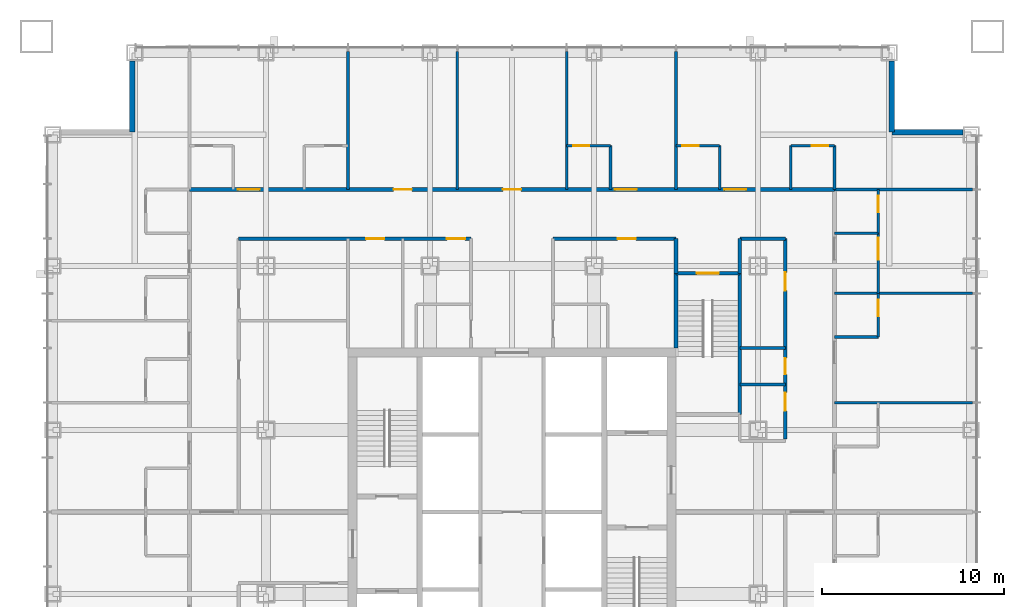
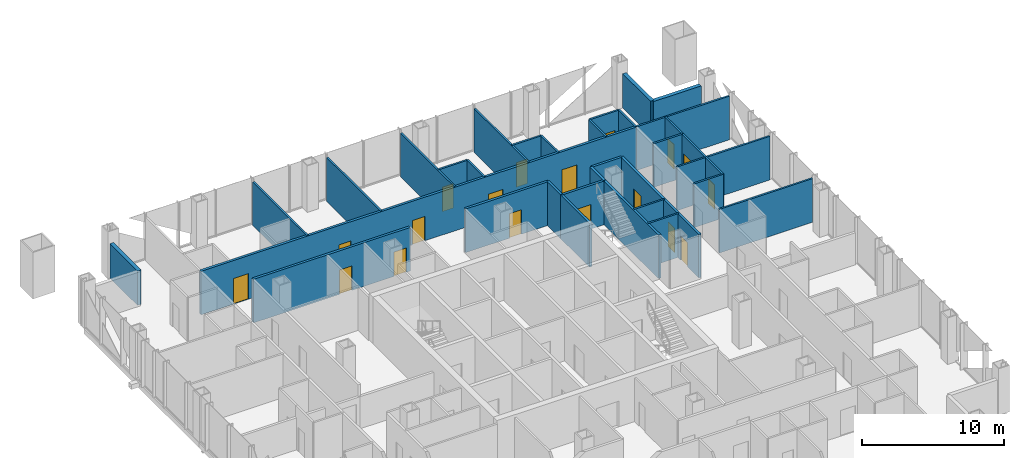
# One storey, part 11 of 13: 34 walls, 18 doors, 18 openings.
"""IFC4 building model written with IfcOpenShell, lengths in metres."""

from ifc_helpers import new_model, si_unit, direction, frame, frame_2d, origin, place, context, subcontext, project, spatial, rectangle, extrude, material, layer, layer_set, type_object, element, fill, save


model = new_model("IFC4")

# Units and contexts
model_context = context("Model", 3, precision=1e-05, world=origin(), true_north=direction((0.0, 1.0)))
body_context = subcontext(model_context, "Body", "Model", "MODEL_VIEW")
ifc_project = project(units=[si_unit("LENGTHUNIT", "METRE"), si_unit("AREAUNIT", "SQUARE_METRE"), si_unit("VOLUMEUNIT", "CUBIC_METRE"), si_unit("PLANEANGLEUNIT", "RADIAN"), si_unit("MASSUNIT", "GRAM", prefix="KILO")], contexts=[model_context])

# Site, building, storey
site_placement = place(None, origin())
site = spatial("IfcSite", under=ifc_project, at=site_placement, CompositionType="ELEMENT")
building_placement = place(site_placement, origin())
building = spatial("IfcBuilding", under=site, at=building_placement, Name="Malebo Sky Hospital", CompositionType="ELEMENT")
storey_placement = place(building_placement, frame((0.0, 0.0, 87.0)))
storey = spatial("IfcBuildingStorey", under=building, at=storey_placement, Name="L20", CompositionType="ELEMENT", Elevation=87.0)

# Wall, openings, doors
ifc_material_1 = material(Name="Gypsum board on steel studs", Category="steel")
ifc_layer_1 = layer(ifc_material_1, 0.199951171875)
ifc_layer_set_1 = layer_set([ifc_layer_1], Name="CORRIDOR WALL 200")
wall_type_1 = type_object("IfcWallType", Name="CORRIDOR WALL 200", PredefinedType="PARTITIONING", material=ifc_layer_set_1)
wall_1_placement = place(storey_placement, frame((42.300048828125, 79.699951171875, 0.0), z_axis=(0.0, 0.0, 1.0), x_axis=(1.0, 0.0, 0.0)))
wall_1 = element("IfcWall", 1, at=wall_1_placement, inside=storey, type_object=wall_type_1, Name="Corridor Wall 200 NCO", PredefinedType="PARTITIONING", context=body_context, shape_type="SweptSolid", body=[
    extrude(rectangle(XDim=35.39990234375, YDim=0.199951171875, at=frame_2d((17.699951171875, 0.0))), origin(), (0.0, 0.0, 1.0), 3.75),
])
opening_1_placement = place(wall_1_placement, frame((2.64990234375, 0.0, 0.0)))
opening_1 = element("IfcOpeningElement", 2, at=opening_1_placement, cuts=wall_1, Name="Opening D01", PredefinedType="OPENING", context=body_context, shape_type="SweptSolid", body=[
    extrude(rectangle(XDim=1.199951171875, YDim=2.199951171875, at=frame_2d((0.60009765625, 1.10009765625))), frame((0.0, 0.10986328125, 0.0), z_axis=(0.0, -1.0, 0.0), x_axis=(1.0, 0.0, 0.0)), (0.0, 0.0, 1.0), 0.219970703125),
])
opening_2_placement = place(wall_1_placement, frame((11.199951171875, 0.0, 0.0)))
opening_2 = element("IfcOpeningElement", 3, at=opening_2_placement, cuts=wall_1, Name="Opening D03", PredefinedType="OPENING", context=body_context, shape_type="SweptSolid", body=[
    extrude(rectangle(XDim=1.0, YDim=2.10009765625, at=frame_2d((0.5, 1.050048828125))), frame((0.0, 0.10986328125, 0.0), z_axis=(0.0, -1.0, 0.0), x_axis=(1.0, 0.0, 0.0)), (0.0, 0.0, 1.0), 0.219970703125),
])
opening_3_placement = place(wall_1_placement, frame((17.199951171875, 0.0, 0.0)))
opening_3 = element("IfcOpeningElement", 4, at=opening_3_placement, cuts=wall_1, Name="Opening D03", PredefinedType="OPENING", context=body_context, shape_type="SweptSolid", body=[
    extrude(rectangle(XDim=1.0, YDim=2.10009765625, at=frame_2d((0.5, 1.050048828125))), frame((0.0, 0.10986328125, 0.0), z_axis=(0.0, -1.0, 0.0), x_axis=(1.0, 0.0, 0.0)), (0.0, 0.0, 1.0), 0.219970703125),
])
opening_4_placement = place(wall_1_placement, frame((23.35009765625, 0.0, 0.0)))
opening_4 = element("IfcOpeningElement", 5, at=opening_4_placement, cuts=wall_1, Name="Opening D01", PredefinedType="OPENING", context=body_context, shape_type="SweptSolid", body=[
    extrude(rectangle(XDim=1.199951171875, YDim=2.199951171875, at=frame_2d((0.60009765625, 1.10009765625))), frame((0.0, 0.10986328125, 0.0), z_axis=(0.0, -1.0, 0.0), x_axis=(1.0, 0.0, 0.0)), (0.0, 0.0, 1.0), 0.219970703125),
])
opening_5_placement = place(wall_1_placement, frame((29.35009765625, 0.0, 0.0)))
opening_5 = element("IfcOpeningElement", 6, at=opening_5_placement, cuts=wall_1, Name="Opening D01", PredefinedType="OPENING", context=body_context, shape_type="SweptSolid", body=[
    extrude(rectangle(XDim=1.199951171875, YDim=2.199951171875, at=frame_2d((0.60009765625, 1.10009765625))), frame((0.0, 0.10986328125, 0.0), z_axis=(0.0, -1.0, 0.0), x_axis=(1.0, 0.0, 0.0)), (0.0, 0.0, 1.0), 0.219970703125),
])
ifc_material_2 = material(Name="Hardwood-faced door leaf in steel frame", Category="steel")
door_type_1 = type_object("IfcDoorType", Name="BED DOOR 1200", OperationType="SINGLE_SWING_LEFT", PredefinedType="DOOR", material=ifc_material_2)
door_1_placement = place(opening_1_placement, origin())
door_1 = element("IfcDoor", 7, at=door_1_placement, inside=storey, type_object=door_type_1, Name="Four-bed bay door", OperationType="SINGLE_SWING_LEFT", OverallHeight=2.199951171875, OverallWidth=1.199951171875, PredefinedType="DOOR", context=body_context, shape_type="SweptSolid", body=[
    extrude(rectangle(XDim=1.199951171875, YDim=2.199951171875, at=frame_2d((0.60009765625, 1.10009765625))), frame((0.0, 0.02490234375, 0.0), z_axis=(0.0, -1.0, 0.0), x_axis=(1.0, 0.0, 0.0)), (0.0, 0.0, 1.0), 0.050048828125),
])
fill(opening_1, door_1)
door_2_placement = place(opening_4_placement, origin())
door_2 = element("IfcDoor", 8, at=door_2_placement, inside=storey, type_object=door_type_1, Name="Two-bed room door", OperationType="SINGLE_SWING_LEFT", OverallHeight=2.199951171875, OverallWidth=1.199951171875, PredefinedType="DOOR", context=body_context, shape_type="SweptSolid", body=[
    extrude(rectangle(XDim=1.199951171875, YDim=2.199951171875, at=frame_2d((0.60009765625, 1.10009765625))), frame((0.0, 0.02490234375, 0.0), z_axis=(0.0, -1.0, 0.0), x_axis=(1.0, 0.0, 0.0)), (0.0, 0.0, 1.0), 0.050048828125),
])
fill(opening_4, door_2)
door_3_placement = place(opening_5_placement, origin())
door_3 = element("IfcDoor", 9, at=door_3_placement, inside=storey, type_object=door_type_1, Name="Four-bed bay door", OperationType="SINGLE_SWING_LEFT", OverallHeight=2.199951171875, OverallWidth=1.199951171875, PredefinedType="DOOR", context=body_context, shape_type="SweptSolid", body=[
    extrude(rectangle(XDim=1.199951171875, YDim=2.199951171875, at=frame_2d((0.60009765625, 1.10009765625))), frame((0.0, 0.02490234375, 0.0), z_axis=(0.0, -1.0, 0.0), x_axis=(1.0, 0.0, 0.0)), (0.0, 0.0, 1.0), 0.050048828125),
])
fill(opening_5, door_3)
door_type_2 = type_object("IfcDoorType", Name="ROOM DOOR 1000", OperationType="SINGLE_SWING_LEFT", PredefinedType="DOOR", material=ifc_material_2)
door_4_placement = place(opening_2_placement, origin())
door_4 = element("IfcDoor", 10, at=door_4_placement, inside=storey, type_object=door_type_2, Name="Family room door", OperationType="SINGLE_SWING_LEFT", OverallHeight=2.10009765625, OverallWidth=1.0, PredefinedType="DOOR", context=body_context, shape_type="SweptSolid", body=[
    extrude(rectangle(XDim=1.0, YDim=2.10009765625, at=frame_2d((0.5, 1.050048828125))), frame((0.0, 0.02490234375, 0.0), z_axis=(0.0, -1.0, 0.0), x_axis=(1.0, 0.0, 0.0)), (0.0, 0.0, 1.0), 0.050048828125),
])
fill(opening_2, door_4)
door_5_placement = place(opening_3_placement, origin())
door_5 = element("IfcDoor", 11, at=door_5_placement, inside=storey, type_object=door_type_2, Name="Quiet room door", OperationType="SINGLE_SWING_LEFT", OverallHeight=2.10009765625, OverallWidth=1.0, PredefinedType="DOOR", context=body_context, shape_type="SweptSolid", body=[
    extrude(rectangle(XDim=1.0, YDim=2.10009765625, at=frame_2d((0.5, 1.050048828125))), frame((0.0, 0.02490234375, 0.0), z_axis=(0.0, -1.0, 0.0), x_axis=(1.0, 0.0, 0.0)), (0.0, 0.0, 1.0), 0.050048828125),
])
fill(opening_3, door_5)

wall_2_placement = place(storey_placement, frame((45.0, 77.0, 0.0), z_axis=(0.0, 0.0, 1.0), x_axis=(1.0, 0.0, 0.0)))
wall_2 = element("IfcWall", 12, at=wall_2_placement, inside=storey, type_object=wall_type_1, Name="Corridor Wall 200 NCI1", PredefinedType="PARTITIONING", context=body_context, shape_type="SweptSolid", body=[
    extrude(rectangle(XDim=12.75, YDim=0.199951171875, at=frame_2d((6.375, 0.0))), origin(), (0.0, 0.0, 1.0), 3.75),
])
opening_6_placement = place(wall_2_placement, frame((7.0, 0.0, 0.0)))
opening_6 = element("IfcOpeningElement", 13, at=opening_6_placement, cuts=wall_2, Name="Opening D03", PredefinedType="OPENING", context=body_context, shape_type="SweptSolid", body=[
    extrude(rectangle(XDim=1.0, YDim=2.10009765625, at=frame_2d((0.5, 1.050048828125))), frame((0.0, 0.10986328125, 0.0), z_axis=(0.0, -1.0, 0.0), x_axis=(1.0, 0.0, 0.0)), (0.0, 0.0, 1.0), 0.219970703125),
])
opening_7_placement = place(wall_2_placement, frame((11.425048828125, 0.0, 0.0)))
opening_7 = element("IfcOpeningElement", 14, at=opening_7_placement, cuts=wall_2, Name="Opening D03", PredefinedType="OPENING", context=body_context, shape_type="SweptSolid", body=[
    extrude(rectangle(XDim=1.0, YDim=2.10009765625, at=frame_2d((0.5, 1.050048828125))), frame((0.0, 0.10986328125, 0.0), z_axis=(0.0, -1.0, 0.0), x_axis=(1.0, 0.0, 0.0)), (0.0, 0.0, 1.0), 0.219970703125),
])
door_6_placement = place(opening_6_placement, origin())
door_6 = element("IfcDoor", 15, at=door_6_placement, inside=storey, type_object=door_type_2, Name="Wheelchair store door", OperationType="SINGLE_SWING_LEFT", OverallHeight=2.10009765625, OverallWidth=1.0, PredefinedType="DOOR", context=body_context, shape_type="SweptSolid", body=[
    extrude(rectangle(XDim=1.0, YDim=2.10009765625, at=frame_2d((0.5, 1.050048828125))), frame((0.0, 0.02490234375, 0.0), z_axis=(0.0, -1.0, 0.0), x_axis=(1.0, 0.0, 0.0)), (0.0, 0.0, 1.0), 0.050048828125),
])
fill(opening_6, door_6)
door_7_placement = place(opening_7_placement, origin())
door_7 = element("IfcDoor", 16, at=door_7_placement, inside=storey, type_object=door_type_2, Name="Ward office door", OperationType="SINGLE_SWING_RIGHT", OverallHeight=2.10009765625, OverallWidth=1.0, PredefinedType="DOOR", context=body_context, shape_type="SweptSolid", body=[
    extrude(rectangle(XDim=1.0, YDim=2.10009765625, at=frame_2d((0.5, 1.050048828125))), frame((0.0, 0.02490234375, 0.0), z_axis=(0.0, -1.0, 0.0), x_axis=(1.0, 0.0, 0.0)), (0.0, 0.0, 1.0), 0.050048828125),
])
fill(opening_7, door_7)

# Wall, opening, door
wall_3_placement = place(storey_placement, frame((62.25, 77.0, 0.0), z_axis=(0.0, 0.0, 1.0), x_axis=(1.0, 0.0, 0.0)))
wall_3 = element("IfcWall", 17, at=wall_3_placement, inside=storey, type_object=wall_type_1, Name="Corridor Wall 200 NCI2", PredefinedType="PARTITIONING", context=body_context, shape_type="SweptSolid", body=[
    extrude(rectangle(XDim=6.75, YDim=0.199951171875, at=frame_2d((3.375, 0.0))), origin(), (0.0, 0.0, 1.0), 3.75),
])
opening_8_placement = place(wall_3_placement, frame((3.550048828125, 0.0, 0.0)))
opening_8 = element("IfcOpeningElement", 18, at=opening_8_placement, cuts=wall_3, Name="Opening D03", PredefinedType="OPENING", context=body_context, shape_type="SweptSolid", body=[
    extrude(rectangle(XDim=1.0, YDim=2.10009765625, at=frame_2d((0.5, 1.050048828125))), frame((0.0, 0.10986328125, 0.0), z_axis=(0.0, -1.0, 0.0), x_axis=(1.0, 0.0, 0.0)), (0.0, 0.0, 1.0), 0.219970703125),
])
door_8_placement = place(opening_8_placement, origin())
door_8 = element("IfcDoor", 19, at=door_8_placement, inside=storey, type_object=door_type_2, Name="Staff base door", OperationType="SINGLE_SWING_RIGHT", OverallHeight=2.10009765625, OverallWidth=1.0, PredefinedType="DOOR", context=body_context, shape_type="SweptSolid", body=[
    extrude(rectangle(XDim=1.0, YDim=2.10009765625, at=frame_2d((0.5, 1.050048828125))), frame((0.0, 0.02490234375, 0.0), z_axis=(0.0, -1.0, 0.0), x_axis=(1.0, 0.0, 0.0)), (0.0, 0.0, 1.0), 0.050048828125),
])
fill(opening_8, door_8)

# Wall
wall_4_placement = place(storey_placement, frame((72.5, 77.0, 0.0), z_axis=(0.0, 0.0, 1.0), x_axis=(1.0, 0.0, 0.0)))
element("IfcWall", 20, at=wall_4_placement, inside=storey, type_object=wall_type_1, Name="Corridor Wall 200 NCI2/2", PredefinedType="PARTITIONING", context=body_context, shape_type="SweptSolid", body=[
    extrude(rectangle(XDim=2.5, YDim=0.199951171875, at=frame_2d((1.25, 0.0))), origin(), (0.0, 0.0, 1.0), 3.75),
])

# Wall, openings, doors
wall_5_placement = place(storey_placement, frame((75.0, 77.0, 0.0), z_axis=(0.0, 0.0, 1.0), x_axis=(0.0, -1.0, 0.0)))
wall_5 = element("IfcWall", 21, at=wall_5_placement, inside=storey, type_object=wall_type_1, Name="Corridor Wall 200 ECI1", PredefinedType="PARTITIONING", context=body_context, shape_type="SweptSolid", body=[
    extrude(rectangle(XDim=11.0, YDim=0.199951171875, at=frame_2d((5.5, 0.0))), origin(), (0.0, 0.0, 1.0), 3.75),
])
opening_9_placement = place(wall_5_placement, frame((1.85009765625, 0.0, 0.0)))
opening_9 = element("IfcOpeningElement", 22, at=opening_9_placement, cuts=wall_5, Name="Opening D03", PredefinedType="OPENING", context=body_context, shape_type="SweptSolid", body=[
    extrude(rectangle(XDim=1.0, YDim=2.10009765625, at=frame_2d((0.5, 1.050048828125))), frame((0.0, 0.10986328125, 0.0), z_axis=(0.0, -1.0, 0.0), x_axis=(1.0, 0.0, 0.0)), (0.0, 0.0, 1.0), 0.219970703125),
])
opening_10_placement = place(wall_5_placement, frame((6.550048828125, 0.0, 0.0)))
opening_10 = element("IfcOpeningElement", 23, at=opening_10_placement, cuts=wall_5, Name="Opening D04", PredefinedType="OPENING", context=body_context, shape_type="SweptSolid", body=[
    extrude(rectangle(XDim=0.89990234375, YDim=2.10009765625, at=frame_2d((0.449951171875, 1.050048828125))), frame((0.0, 0.10986328125, 0.0), z_axis=(0.0, -1.0, 0.0), x_axis=(1.0, 0.0, 0.0)), (0.0, 0.0, 1.0), 0.219970703125),
])
opening_11_placement = place(wall_5_placement, frame((8.449951171875, 0.0, 0.0)))
opening_11 = element("IfcOpeningElement", 24, at=opening_11_placement, cuts=wall_5, Name="Opening D03", PredefinedType="OPENING", context=body_context, shape_type="SweptSolid", body=[
    extrude(rectangle(XDim=1.0, YDim=2.10009765625, at=frame_2d((0.5, 1.050048828125))), frame((0.0, 0.10986328125, 0.0), z_axis=(0.0, -1.0, 0.0), x_axis=(1.0, 0.0, 0.0)), (0.0, 0.0, 1.0), 0.219970703125),
])
door_9_placement = place(opening_9_placement, origin())
door_9 = element("IfcDoor", 25, at=door_9_placement, inside=storey, type_object=door_type_2, Name="Treatment room door", OperationType="SINGLE_SWING_LEFT", OverallHeight=2.10009765625, OverallWidth=1.0, PredefinedType="DOOR", context=body_context, shape_type="SweptSolid", body=[
    extrude(rectangle(XDim=1.0, YDim=2.10009765625, at=frame_2d((0.5, 1.050048828125))), frame((0.0, 0.02490234375, 0.0), z_axis=(0.0, -1.0, 0.0), x_axis=(1.0, 0.0, 0.0)), (0.0, 0.0, 1.0), 0.050048828125),
])
fill(opening_9, door_9)
door_10_placement = place(opening_11_placement, origin())
door_10 = element("IfcDoor", 26, at=door_10_placement, inside=storey, type_object=door_type_2, Name="Dirty utility room door", OperationType="SINGLE_SWING_LEFT", OverallHeight=2.10009765625, OverallWidth=1.0, PredefinedType="DOOR", context=body_context, shape_type="SweptSolid", body=[
    extrude(rectangle(XDim=1.0, YDim=2.10009765625, at=frame_2d((0.5, 1.050048828125))), frame((0.0, 0.02490234375, 0.0), z_axis=(0.0, -1.0, 0.0), x_axis=(1.0, 0.0, 0.0)), (0.0, 0.0, 1.0), 0.050048828125),
])
fill(opening_11, door_10)
door_type_3 = type_object("IfcDoorType", Name="ROOM DOOR 900", OperationType="SINGLE_SWING_LEFT", PredefinedType="DOOR", material=ifc_material_2)
door_11_placement = place(opening_10_placement, origin())
door_11 = element("IfcDoor", 27, at=door_11_placement, inside=storey, type_object=door_type_3, Name="Linen store door", OperationType="SINGLE_SWING_LEFT", OverallHeight=2.10009765625, OverallWidth=0.89990234375, PredefinedType="DOOR", context=body_context, shape_type="SweptSolid", body=[
    extrude(rectangle(XDim=0.89990234375, YDim=2.10009765625, at=frame_2d((0.449951171875, 1.050048828125))), frame((0.0, 0.02490234375, 0.0), z_axis=(0.0, -1.0, 0.0), x_axis=(1.0, 0.0, 0.0)), (0.0, 0.0, 1.0), 0.050048828125),
])
fill(opening_10, door_11)

# Walls
for number, where, z_axis, x_axis, name in (
    (28, (69.0, 75.10009765625, 0.0), (0.0, 0.0, 1.0), (0.0, 1.0, 0.0), "Corridor Wall 200 ST3AW"),
    (29, (72.5, 75.10009765625, 0.0), (0.0, 0.0, 1.0), (0.0, 1.0, 0.0), "Corridor Wall 200 ST3AE"),
):
    element("IfcWall", number, at=place(storey_placement, frame(where, z_axis=z_axis, x_axis=x_axis)), inside=storey, type_object=wall_type_1, Name=name, PredefinedType="PARTITIONING", context=body_context, shape_type="SweptSolid", body=[
        extrude(rectangle(XDim=1.89990234375, YDim=0.199951171875, at=frame_2d((0.949951171875, 0.0))), origin(), (0.0, 0.0, 1.0), 3.75),
    ])
ifc_material_3 = material(Name="Anodised aluminium rainscreen on steel framing", Category="steel")
ifc_layer_2 = layer(ifc_material_3, 0.300048828125)
ifc_layer_set_2 = layer_set([ifc_layer_2], Name="NOTCH RAINSCREEN WALL 300")
wall_type_2 = type_object("IfcWallType", Name="NOTCH RAINSCREEN WALL 300", PredefinedType="ELEMENTEDWALL", material=ifc_layer_set_2)
for number, where, z_axis, x_axis, name in (
    (30, (80.85009765625, 86.75, 0.0), (0.0, 0.0, 1.0), (0.0, -1.0, 0.0), "Notch rainscreen wall N1 L20"),
    (31, (80.85009765625, 82.85009765625, 0.0), (0.0, 0.0, 1.0), (1.0, 0.0, 0.0), "Notch rainscreen wall N2 L20"),
    (32, (39.14990234375, 82.85009765625, 0.0), (0.0, 0.0, 1.0), (0.0, 1.0, 0.0), "Notch rainscreen wall W2 L20"),
):
    element("IfcWall", number, at=place(storey_placement, frame(where, z_axis=z_axis, x_axis=x_axis)), inside=storey, type_object=wall_type_2, Name=name, PredefinedType="ELEMENTEDWALL", context=body_context, shape_type="SweptSolid", body=[
        extrude(rectangle(XDim=3.89990234375, YDim=0.300048828125, at=frame_2d((1.949951171875, 0.0))), origin(), (0.0, 0.0, 1.0), 2.949951171875),
    ])
ifc_layer_3 = layer(ifc_material_1, 0.14990234375)
ifc_layer_set_3 = layer_set([ifc_layer_3], Name="PARTITION 150")
wall_type_3 = type_object("IfcWallType", Name="PARTITION 150", PredefinedType="PARTITIONING", material=ifc_layer_set_3)
for number, where, z_axis, x_axis, name in (
    (33, (51.0, 79.699951171875, 0.0), (0.0, 0.0, 1.0), (0.0, 1.0, 0.0), "Partition 150 NP-9.0"),
    (34, (57.0, 79.699951171875, 0.0), (0.0, 0.0, 1.0), (0.0, 1.0, 0.0), "Partition 150 NP-3.0"),
    (35, (63.0, 79.699951171875, 0.0), (0.0, 0.0, 1.0), (0.0, 1.0, 0.0), "Partition 150 NP+3.0"),
    (36, (69.0, 79.699951171875, 0.0), (0.0, 0.0, 1.0), (0.0, 1.0, 0.0), "Partition 150 NP+9.0"),
):
    element("IfcWall", number, at=place(storey_placement, frame(where, z_axis=z_axis, x_axis=x_axis)), inside=storey, type_object=wall_type_3, Name=name, PredefinedType="PARTITIONING", context=body_context, shape_type="SweptSolid", body=[
        extrude(rectangle(XDim=7.574951171875, YDim=0.14990234375, at=frame_2d((3.78759765625, 0.0))), origin(), (0.0, 0.0, 1.0), 3.75),
    ])

# Wall, opening, door
wall_6_placement = place(storey_placement, frame((63.0, 82.10009765625, 0.0), z_axis=(0.0, 0.0, 1.0), x_axis=(1.0, 0.0, 0.0)))
wall_6 = element("IfcWall", 37, at=wall_6_placement, inside=storey, type_object=wall_type_3, Name="Partition 150 NE3F", PredefinedType="PARTITIONING", context=body_context, shape_type="SweptSolid", body=[
    extrude(rectangle(XDim=2.39990234375, YDim=0.14990234375, at=frame_2d((1.199951171875, 0.0))), origin(), (0.0, 0.0, 1.0), 3.75),
])
opening_12_placement = place(wall_6_placement, frame((0.35009765625, 0.0, 0.0)))
opening_12 = element("IfcOpeningElement", 38, at=opening_12_placement, cuts=wall_6, Name="Opening D02", PredefinedType="OPENING", context=body_context, shape_type="SweptSolid", body=[
    extrude(rectangle(XDim=0.89990234375, YDim=2.10009765625, at=frame_2d((0.449951171875, 1.050048828125))), frame((0.0, 0.0849609375, 0.0), z_axis=(0.0, -1.0, 0.0), x_axis=(1.0, 0.0, 0.0)), (0.0, 0.0, 1.0), 0.169921875),
])
door_type_4 = type_object("IfcDoorType", Name="EN-SUITE DOOR 900", OperationType="SINGLE_SWING_LEFT", PredefinedType="DOOR", material=ifc_material_2)
door_12_placement = place(opening_12_placement, origin())
door_12 = element("IfcDoor", 39, at=door_12_placement, inside=storey, type_object=door_type_4, Name="En-suite door", OperationType="SINGLE_SWING_LEFT", OverallHeight=2.10009765625, OverallWidth=0.89990234375, PredefinedType="DOOR", context=body_context, shape_type="SweptSolid", body=[
    extrude(rectangle(XDim=0.89990234375, YDim=2.10009765625, at=frame_2d((0.449951171875, 1.050048828125))), frame((0.0, 0.02490234375, 0.0), z_axis=(0.0, -1.0, 0.0), x_axis=(1.0, 0.0, 0.0)), (0.0, 0.0, 1.0), 0.050048828125),
])
fill(opening_12, door_12)

# Wall
wall_7_placement = place(storey_placement, frame((65.39990234375, 79.699951171875, 0.0), z_axis=(0.0, 0.0, 1.0), x_axis=(0.0, 1.0, 0.0)))
element("IfcWall", 40, at=wall_7_placement, inside=storey, type_object=wall_type_3, Name="Partition 150 NE3S", PredefinedType="PARTITIONING", context=body_context, shape_type="SweptSolid", body=[
    extrude(rectangle(XDim=2.400146484375, YDim=0.14990234375, at=frame_2d((1.2001953125, 0.0))), origin(), (0.0, 0.0, 1.0), 3.75),
])

# Wall, opening, door
wall_8_placement = place(storey_placement, frame((69.0, 82.10009765625, 0.0), z_axis=(0.0, 0.0, 1.0), x_axis=(1.0, 0.0, 0.0)))
wall_8 = element("IfcWall", 41, at=wall_8_placement, inside=storey, type_object=wall_type_3, Name="Partition 150 NE4F", PredefinedType="PARTITIONING", context=body_context, shape_type="SweptSolid", body=[
    extrude(rectangle(XDim=2.39990234375, YDim=0.14990234375, at=frame_2d((1.199951171875, 0.0))), origin(), (0.0, 0.0, 1.0), 3.75),
])
opening_13_placement = place(wall_8_placement, frame((0.35009765625, 0.0, 0.0)))
opening_13 = element("IfcOpeningElement", 42, at=opening_13_placement, cuts=wall_8, Name="Opening D02", PredefinedType="OPENING", context=body_context, shape_type="SweptSolid", body=[
    extrude(rectangle(XDim=0.89990234375, YDim=2.10009765625, at=frame_2d((0.449951171875, 1.050048828125))), frame((0.0, 0.0849609375, 0.0), z_axis=(0.0, -1.0, 0.0), x_axis=(1.0, 0.0, 0.0)), (0.0, 0.0, 1.0), 0.169921875),
])
door_13_placement = place(opening_13_placement, origin())
door_13 = element("IfcDoor", 43, at=door_13_placement, inside=storey, type_object=door_type_4, Name="En-suite door", OperationType="SINGLE_SWING_LEFT", OverallHeight=2.10009765625, OverallWidth=0.89990234375, PredefinedType="DOOR", context=body_context, shape_type="SweptSolid", body=[
    extrude(rectangle(XDim=0.89990234375, YDim=2.10009765625, at=frame_2d((0.449951171875, 1.050048828125))), frame((0.0, 0.02490234375, 0.0), z_axis=(0.0, -1.0, 0.0), x_axis=(1.0, 0.0, 0.0)), (0.0, 0.0, 1.0), 0.050048828125),
])
fill(opening_13, door_13)

# Wall
wall_9_placement = place(storey_placement, frame((71.39990234375, 79.699951171875, 0.0), z_axis=(0.0, 0.0, 1.0), x_axis=(0.0, 1.0, 0.0)))
element("IfcWall", 44, at=wall_9_placement, inside=storey, type_object=wall_type_3, Name="Partition 150 NE4S", PredefinedType="PARTITIONING", context=body_context, shape_type="SweptSolid", body=[
    extrude(rectangle(XDim=2.400146484375, YDim=0.14990234375, at=frame_2d((1.2001953125, 0.0))), origin(), (0.0, 0.0, 1.0), 3.75),
])

# Wall, opening, door
wall_10_placement = place(storey_placement, frame((75.300048828125, 82.10009765625, 0.0), z_axis=(0.0, 0.0, 1.0), x_axis=(1.0, 0.0, 0.0)))
wall_10 = element("IfcWall", 45, at=wall_10_placement, inside=storey, type_object=wall_type_3, Name="Partition 150 NG4F", PredefinedType="PARTITIONING", context=body_context, shape_type="SweptSolid", body=[
    extrude(rectangle(XDim=2.39990234375, YDim=0.14990234375, at=frame_2d((1.199951171875, 0.0))), origin(), (0.0, 0.0, 1.0), 3.75),
])
opening_14_placement = place(wall_10_placement, frame((1.14990234375, 0.0, 0.0)))
opening_14 = element("IfcOpeningElement", 46, at=opening_14_placement, cuts=wall_10, Name="Opening D02", PredefinedType="OPENING", context=body_context, shape_type="SweptSolid", body=[
    extrude(rectangle(XDim=0.89990234375, YDim=2.10009765625, at=frame_2d((0.449951171875, 1.050048828125))), frame((0.0, 0.0849609375, 0.0), z_axis=(0.0, -1.0, 0.0), x_axis=(1.0, 0.0, 0.0)), (0.0, 0.0, 1.0), 0.169921875),
])
door_14_placement = place(opening_14_placement, origin())
door_14 = element("IfcDoor", 47, at=door_14_placement, inside=storey, type_object=door_type_4, Name="En-suite door", OperationType="SINGLE_SWING_RIGHT", OverallHeight=2.10009765625, OverallWidth=0.89990234375, PredefinedType="DOOR", context=body_context, shape_type="SweptSolid", body=[
    extrude(rectangle(XDim=0.89990234375, YDim=2.10009765625, at=frame_2d((0.449951171875, 1.050048828125))), frame((0.0, 0.02490234375, 0.0), z_axis=(0.0, -1.0, 0.0), x_axis=(1.0, 0.0, 0.0)), (0.0, 0.0, 1.0), 0.050048828125),
])
fill(opening_14, door_14)

# Walls
for number, where, z_axis, x_axis, name in (
    (48, (75.300048828125, 79.699951171875, 0.0), (0.0, 0.0, 1.0), (0.0, 1.0, 0.0), "Partition 150 NG4S"),
    (49, (77.699951171875, 79.699951171875, 0.0), (0.0, 0.0, 1.0), (0.0, 1.0, 0.0), "Partition 150 NEZ"),
):
    element("IfcWall", number, at=place(storey_placement, frame(where, z_axis=z_axis, x_axis=x_axis)), inside=storey, type_object=wall_type_3, Name=name, PredefinedType="PARTITIONING", context=body_context, shape_type="SweptSolid", body=[
        extrude(rectangle(XDim=2.400146484375, YDim=0.14990234375, at=frame_2d((1.2001953125, 0.0))), origin(), (0.0, 0.0, 1.0), 3.75),
    ])
for number, where, z_axis, x_axis, name in (
    (50, (77.699951171875, 74.0, 0.0), (0.0, 0.0, 1.0), (1.0, 0.0, 0.0), "Partition 150 EP-12.0"),
    (51, (77.699951171875, 68.0, 0.0), (0.0, 0.0, 1.0), (1.0, 0.0, 0.0), "Partition 150 EP-6.0"),
    (52, (77.699951171875, 79.699951171875, 0.0), (0.0, 0.0, 1.0), (1.0, 0.0, 0.0), "Partition 150 EP0"),
):
    element("IfcWall", number, at=place(storey_placement, frame(where, z_axis=z_axis, x_axis=x_axis)), inside=storey, type_object=wall_type_3, Name=name, PredefinedType="PARTITIONING", context=body_context, shape_type="SweptSolid", body=[
        extrude(rectangle(XDim=7.574951171875, YDim=0.14990234375, at=frame_2d((3.78759765625, 0.0))), origin(), (0.0, 0.0, 1.0), 3.75),
    ])

# Wall, opening, door
wall_11_placement = place(storey_placement, frame((80.10009765625, 79.699951171875, 0.0), z_axis=(0.0, 0.0, 1.0), x_axis=(0.0, -1.0, 0.0)))
wall_11 = element("IfcWall", 53, at=wall_11_placement, inside=storey, type_object=wall_type_3, Name="Partition 150 EE0F", PredefinedType="PARTITIONING", context=body_context, shape_type="SweptSolid", body=[
    extrude(rectangle(XDim=2.39990234375, YDim=0.14990234375, at=frame_2d((1.199951171875, 0.0))), origin(), (0.0, 0.0, 1.0), 3.75),
])
opening_15_placement = place(wall_11_placement, frame((0.35009765625, 0.0, 0.0)))
opening_15 = element("IfcOpeningElement", 54, at=opening_15_placement, cuts=wall_11, Name="Opening D02", PredefinedType="OPENING", context=body_context, shape_type="SweptSolid", body=[
    extrude(rectangle(XDim=0.89990234375, YDim=2.10009765625, at=frame_2d((0.449951171875, 1.050048828125))), frame((0.0, 0.0849609375, 0.0), z_axis=(0.0, -1.0, 0.0), x_axis=(1.0, 0.0, 0.0)), (0.0, 0.0, 1.0), 0.169921875),
])
door_15_placement = place(opening_15_placement, origin())
door_15 = element("IfcDoor", 55, at=door_15_placement, inside=storey, type_object=door_type_4, Name="En-suite door", OperationType="SINGLE_SWING_LEFT", OverallHeight=2.10009765625, OverallWidth=0.89990234375, PredefinedType="DOOR", context=body_context, shape_type="SweptSolid", body=[
    extrude(rectangle(XDim=0.89990234375, YDim=2.10009765625, at=frame_2d((0.449951171875, 1.050048828125))), frame((0.0, 0.02490234375, 0.0), z_axis=(0.0, -1.0, 0.0), x_axis=(1.0, 0.0, 0.0)), (0.0, 0.0, 1.0), 0.050048828125),
])
fill(opening_15, door_15)

# Wall
wall_12_placement = place(storey_placement, frame((77.699951171875, 77.300048828125, 0.0), z_axis=(0.0, 0.0, 1.0), x_axis=(1.0, 0.0, 0.0)))
element("IfcWall", 56, at=wall_12_placement, inside=storey, type_object=wall_type_3, Name="Partition 150 EE0S", PredefinedType="PARTITIONING", context=body_context, shape_type="SweptSolid", body=[
    extrude(rectangle(XDim=2.400146484375, YDim=0.14990234375, at=frame_2d((1.2001953125, 0.0))), origin(), (0.0, 0.0, 1.0), 3.75),
])

# Wall, opening, door
wall_13_placement = place(storey_placement, frame((80.10009765625, 74.0, 0.0), z_axis=(0.0, 0.0, 1.0), x_axis=(0.0, -1.0, 0.0)))
wall_13 = element("IfcWall", 57, at=wall_13_placement, inside=storey, type_object=wall_type_3, Name="Partition 150 EE1F", PredefinedType="PARTITIONING", context=body_context, shape_type="SweptSolid", body=[
    extrude(rectangle(XDim=2.39990234375, YDim=0.14990234375, at=frame_2d((1.199951171875, 0.0))), origin(), (0.0, 0.0, 1.0), 3.75),
])
opening_16_placement = place(wall_13_placement, frame((0.35009765625, 0.0, 0.0)))
opening_16 = element("IfcOpeningElement", 58, at=opening_16_placement, cuts=wall_13, Name="Opening D02", PredefinedType="OPENING", context=body_context, shape_type="SweptSolid", body=[
    extrude(rectangle(XDim=0.89990234375, YDim=2.10009765625, at=frame_2d((0.449951171875, 1.050048828125))), frame((0.0, 0.0849609375, 0.0), z_axis=(0.0, -1.0, 0.0), x_axis=(1.0, 0.0, 0.0)), (0.0, 0.0, 1.0), 0.169921875),
])
door_16_placement = place(opening_16_placement, origin())
door_16 = element("IfcDoor", 59, at=door_16_placement, inside=storey, type_object=door_type_4, Name="En-suite door", OperationType="SINGLE_SWING_LEFT", OverallHeight=2.10009765625, OverallWidth=0.89990234375, PredefinedType="DOOR", context=body_context, shape_type="SweptSolid", body=[
    extrude(rectangle(XDim=0.89990234375, YDim=2.10009765625, at=frame_2d((0.449951171875, 1.050048828125))), frame((0.0, 0.02490234375, 0.0), z_axis=(0.0, -1.0, 0.0), x_axis=(1.0, 0.0, 0.0)), (0.0, 0.0, 1.0), 0.050048828125),
])
fill(opening_16, door_16)

# Walls
wall_14_placement = place(storey_placement, frame((77.699951171875, 71.60009765625, 0.0), z_axis=(0.0, 0.0, 1.0), x_axis=(1.0, 0.0, 0.0)))
element("IfcWall", 60, at=wall_14_placement, inside=storey, type_object=wall_type_3, Name="Partition 150 EE1S", PredefinedType="PARTITIONING", context=body_context, shape_type="SweptSolid", body=[
    extrude(rectangle(XDim=2.400146484375, YDim=0.14990234375, at=frame_2d((1.2001953125, 0.0))), origin(), (0.0, 0.0, 1.0), 3.75),
])
for number, where, z_axis, x_axis, name in (
    (61, (72.5, 71.0, 0.0), (0.0, 0.0, 1.0), (1.0, 0.0, 0.0), "Partition 150 ESP0"),
    (62, (72.5, 69.0, 0.0), (0.0, 0.0, 1.0), (1.0, 0.0, 0.0), "Partition 150 ESP-7.0"),
):
    element("IfcWall", number, at=place(storey_placement, frame(where, z_axis=z_axis, x_axis=x_axis)), inside=storey, type_object=wall_type_3, Name=name, PredefinedType="PARTITIONING", context=body_context, shape_type="SweptSolid", body=[
        extrude(rectangle(XDim=2.5, YDim=0.14990234375, at=frame_2d((1.25, 0.0))), origin(), (0.0, 0.0, 1.0), 3.75),
    ])

# Wall, opening, door
ifc_material_4 = material(Name="Sealed gypsum board on steel studs, taped to the slab", Category="steel")
ifc_layer_4 = layer(ifc_material_4, 0.14990234375)
ifc_layer_set_4 = layer_set([ifc_layer_4], Name="SEALED ISOLATION PARTITION 150")
wall_type_4 = type_object("IfcWallType", Name="SEALED ISOLATION PARTITION 150", PredefinedType="PARTITIONING", material=ifc_layer_set_4)
wall_15_placement = place(storey_placement, frame((80.10009765625, 77.300048828125, 0.0), z_axis=(0.0, 0.0, 1.0), x_axis=(0.0, -1.0, 0.0)))
wall_15 = element("IfcWall", 63, at=wall_15_placement, inside=storey, type_object=wall_type_4, Name="Sealed Isolation Partition 150 EA0F", PredefinedType="PARTITIONING", context=body_context, shape_type="SweptSolid", body=[
    extrude(rectangle(XDim=3.300048828125, YDim=0.14990234375, at=frame_2d((1.64990234375, 0.0))), origin(), (0.0, 0.0, 1.0), 3.75),
])
opening_17_placement = place(wall_15_placement, frame((0.25, 0.0, 0.0)))
opening_17 = element("IfcOpeningElement", 64, at=opening_17_placement, cuts=wall_15, Name="Opening D19", PredefinedType="OPENING", context=body_context, shape_type="SweptSolid", body=[
    extrude(rectangle(XDim=1.199951171875, YDim=2.199951171875, at=frame_2d((0.60009765625, 1.10009765625))), frame((0.0, 0.0849609375, 0.0), z_axis=(0.0, -1.0, 0.0), x_axis=(1.0, 0.0, 0.0)), (0.0, 0.0, 1.0), 0.169921875),
])
ifc_material_5 = material(Name="Hardwood-faced door leaf with perimeter seals in steel frame", Category="steel")
door_type_5 = type_object("IfcDoorType", Name="SEALED ISOLATION ROOM DOOR 1200", OperationType="SINGLE_SWING_LEFT", PredefinedType="DOOR", material=ifc_material_5)
door_17_placement = place(opening_17_placement, origin())
door_17 = element("IfcDoor", 65, at=door_17_placement, inside=storey, type_object=door_type_5, Name="Isolation room door", OperationType="SINGLE_SWING_LEFT", OverallHeight=2.199951171875, OverallWidth=1.199951171875, PredefinedType="DOOR", context=body_context, shape_type="SweptSolid", body=[
    extrude(rectangle(XDim=1.199951171875, YDim=2.199951171875, at=frame_2d((0.60009765625, 1.10009765625))), frame((0.0, 0.02490234375, 0.0), z_axis=(0.0, -1.0, 0.0), x_axis=(1.0, 0.0, 0.0)), (0.0, 0.0, 1.0), 0.050048828125),
])
fill(opening_17, door_17)

# Walls
ifc_material_6 = material(Name="Concrete C40/50", Category="concrete")
ifc_layer_5 = layer(ifc_material_6, 0.199951171875)
ifc_layer_set_5 = layer_set([ifc_layer_5], Name="STAIR ENCLOSURE WALL 200")
wall_type_5 = type_object("IfcWallType", Name="STAIR ENCLOSURE WALL 200", PredefinedType="SOLIDWALL", material=ifc_layer_set_5)
wall_16_placement = place(storey_placement, frame((69.0, 71.0, 0.0), z_axis=(0.0, 0.0, 1.0), x_axis=(0.0, 1.0, 0.0)))
element("IfcWall", 66, at=wall_16_placement, inside=storey, type_object=wall_type_5, Name="Stair Enclosure Wall 200 ST3W", PredefinedType="SOLIDWALL", context=body_context, shape_type="SweptSolid", body=[
    extrude(rectangle(XDim=4.10009765625, YDim=0.199951171875, at=frame_2d((2.050048828125, 0.0))), origin(), (0.0, 0.0, 1.0), 3.75),
])
wall_17_placement = place(storey_placement, frame((72.5, 67.35009765625, 0.0), z_axis=(0.0, 0.0, 1.0), x_axis=(0.0, 1.0, 0.0)))
element("IfcWall", 67, at=wall_17_placement, inside=storey, type_object=wall_type_5, Name="Stair Enclosure Wall 200 ST3E", PredefinedType="SOLIDWALL", context=body_context, shape_type="SweptSolid", body=[
    extrude(rectangle(XDim=7.75, YDim=0.199951171875, at=frame_2d((3.875, 0.0))), origin(), (0.0, 0.0, 1.0), 3.75),
])

# Wall, opening, door
wall_18_placement = place(storey_placement, frame((69.0, 75.10009765625, 0.0), z_axis=(0.0, 0.0, 1.0), x_axis=(1.0, 0.0, 0.0)))
wall_18 = element("IfcWall", 68, at=wall_18_placement, inside=storey, type_object=wall_type_5, Name="Stair Enclosure Wall 200 ST3N", PredefinedType="SOLIDWALL", context=body_context, shape_type="SweptSolid", body=[
    extrude(rectangle(XDim=3.5, YDim=0.199951171875, at=frame_2d((1.75, 0.0))), origin(), (0.0, 0.0, 1.0), 3.75),
])
opening_18_placement = place(wall_18_placement, frame((1.14990234375, 0.0, 0.0)))
opening_18 = element("IfcOpeningElement", 69, at=opening_18_placement, cuts=wall_18, Name="Opening D08", PredefinedType="OPENING", context=body_context, shape_type="SweptSolid", body=[
    extrude(rectangle(XDim=1.199951171875, YDim=2.10009765625, at=frame_2d((0.60009765625, 1.050048828125))), frame((0.0, 0.10986328125, 0.0), z_axis=(0.0, -1.0, 0.0), x_axis=(1.0, 0.0, 0.0)), (0.0, 0.0, 1.0), 0.219970703125),
])
door_type_6 = type_object("IfcDoorType", Name="STAIR DOOR 1200", OperationType="SINGLE_SWING_LEFT", PredefinedType="DOOR", material=ifc_material_2)
door_18_placement = place(opening_18_placement, origin())
door_18 = element("IfcDoor", 70, at=door_18_placement, inside=storey, type_object=door_type_6, Name="Stair S3 door", OperationType="SINGLE_SWING_LEFT", OverallHeight=2.10009765625, OverallWidth=1.199951171875, PredefinedType="DOOR", context=body_context, shape_type="SweptSolid", body=[
    extrude(rectangle(XDim=1.199951171875, YDim=2.10009765625, at=frame_2d((0.60009765625, 1.050048828125))), frame((0.0, 0.02490234375, 0.0), z_axis=(0.0, -1.0, 0.0), x_axis=(1.0, 0.0, 0.0)), (0.0, 0.0, 1.0), 0.050048828125),
])
fill(opening_18, door_18)

save(model, "model.ifc")
